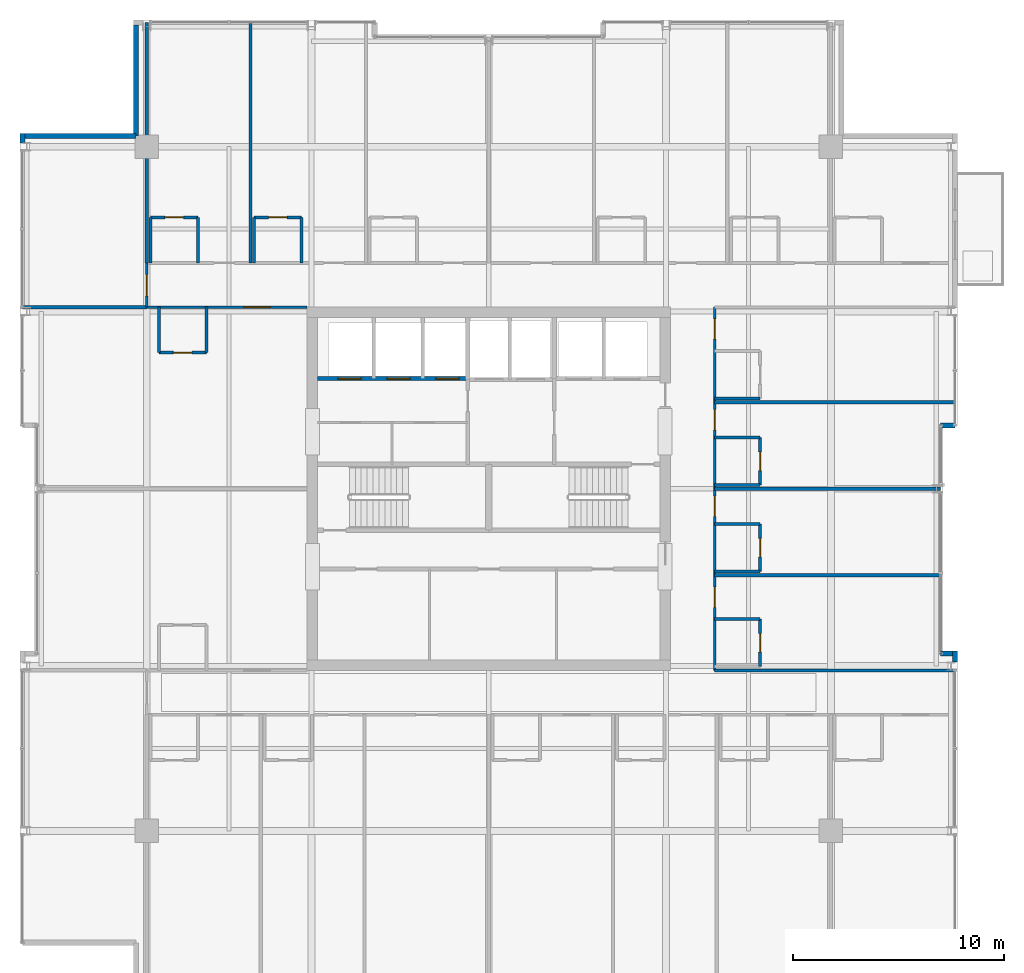
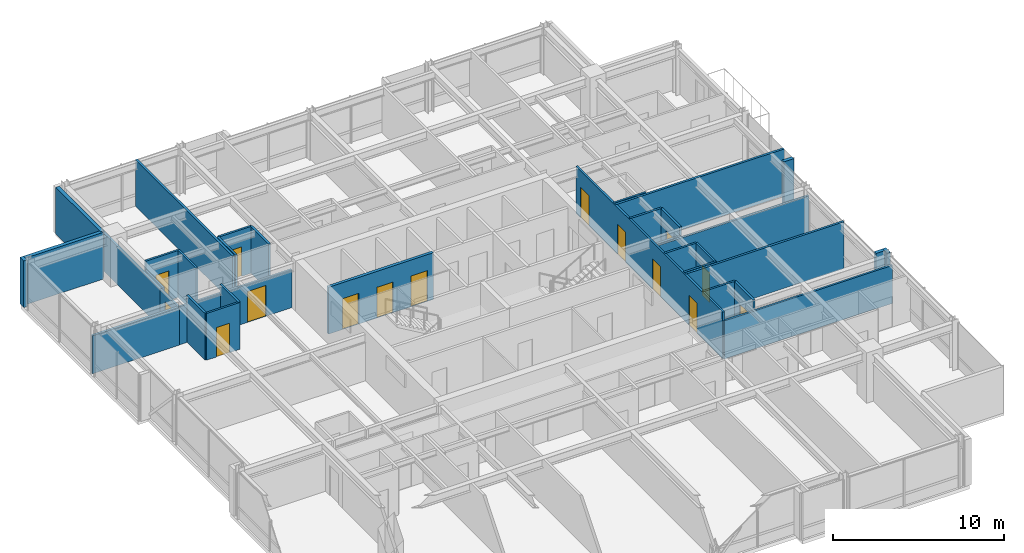
# One storey, part 28 of 33: 35 walls, 15 doors, 15 openings.
"""IFC4 building model written with IfcOpenShell, lengths in metres."""

from ifc_helpers import new_model, si_unit, direction, frame, frame_2d, origin, place, context, subcontext, project, spatial, rectangle, extrude, material, layer, layer_set, type_object, element, fill, save


model = new_model("IFC4")

# Units and contexts
model_context = context("Model", 3, precision=1e-05, world=origin(), true_north=direction((0.0, 1.0)))
body_context = subcontext(model_context, "Body", "Model", "MODEL_VIEW")
ifc_project = project(units=[si_unit("LENGTHUNIT", "METRE"), si_unit("AREAUNIT", "SQUARE_METRE"), si_unit("VOLUMEUNIT", "CUBIC_METRE"), si_unit("PLANEANGLEUNIT", "RADIAN"), si_unit("MASSUNIT", "GRAM", prefix="KILO")], contexts=[model_context])

# Site, building, storey
site_placement = place(None, origin())
site = spatial("IfcSite", under=ifc_project, at=site_placement, CompositionType="ELEMENT")
building_placement = place(site_placement, origin())
building = spatial("IfcBuilding", under=site, at=building_placement, Name="Drelvath Grand Hotel", CompositionType="ELEMENT")
storey_placement = place(building_placement, frame((0.0, 0.0, 212.300048828125)))
storey = spatial("IfcBuildingStorey", under=building, at=storey_placement, Name="L55", CompositionType="ELEMENT", Elevation=212.300048828125)

# Wall, openings, doors
ifc_material_1 = material(Name="Concrete C40/50", Category="concrete")
ifc_layer_1 = layer(ifc_material_1, 0.199951171875)
ifc_layer_set_1 = layer_set([ifc_layer_1], Name="Concrete C40/50")
wall_type_1 = type_object("IfcWallType", Name="Core Hoistway Fire Wall 200", PredefinedType="SOLIDWALL", material=ifc_layer_set_1)
wall_1_placement = place(storey_placement, frame((-8.10009765625, 32.219970703125, 0.0), z_axis=(0.0, 0.0, 1.0), x_axis=(1.0, 0.0, 0.0)))
wall_1 = element("IfcWall", 1, at=wall_1_placement, inside=storey, type_object=wall_type_1, Name="L55 Bank 3 Hoistway Wall", PredefinedType="SOLIDWALL", context=body_context, shape_type="SweptSolid", body=[
    extrude(rectangle(XDim=7.10009765625, YDim=0.199951171875, at=frame_2d((3.550048828125, 0.0))), origin(), (0.0, 0.0, 1.0), 3.33984375),
])
opening_1_placement = place(wall_1_placement, frame((0.949951171875, 0.0, 0.0)))
opening_1 = element("IfcOpeningElement", 2, at=opening_1_placement, cuts=wall_1, Name="Opening LD-PE-7", PredefinedType="OPENING", context=body_context, shape_type="SweptSolid", body=[
    extrude(rectangle(XDim=1.10009765625, YDim=2.199951171875, at=frame_2d((0.550048828125, 1.10009765625))), frame((0.0, 0.10986328125, 0.0), z_axis=(0.0, -1.0, 0.0), x_axis=(1.0, 0.0, 0.0)), (0.0, 0.0, 1.0), 0.219970703125),
])
opening_2_placement = place(wall_1_placement, frame((3.27001953125, 0.0, 0.0)))
opening_2 = element("IfcOpeningElement", 3, at=opening_2_placement, cuts=wall_1, Name="Opening LD-PE-8", PredefinedType="OPENING", context=body_context, shape_type="SweptSolid", body=[
    extrude(rectangle(XDim=1.10009765625, YDim=2.199951171875, at=frame_2d((0.550048828125, 1.10009765625))), frame((0.0, 0.10986328125, 0.0), z_axis=(0.0, -1.0, 0.0), x_axis=(1.0, 0.0, 0.0)), (0.0, 0.0, 1.0), 0.219970703125),
])
opening_3_placement = place(wall_1_placement, frame((5.590087890625, 0.0, 0.0)))
opening_3 = element("IfcOpeningElement", 4, at=opening_3_placement, cuts=wall_1, Name="Opening LD-PE-9", PredefinedType="OPENING", context=body_context, shape_type="SweptSolid", body=[
    extrude(rectangle(XDim=1.10009765625, YDim=2.199951171875, at=frame_2d((0.550048828125, 1.10009765625))), frame((0.0, 0.10986328125, 0.0), z_axis=(0.0, -1.0, 0.0), x_axis=(1.0, 0.0, 0.0)), (0.0, 0.0, 1.0), 0.219970703125),
])
ifc_material_2 = material(Name="Stainless Steel S355", Category="steel")
door_type_1 = type_object("IfcDoorType", Name="Passenger Lift Sliding Landing Door 1100x2200", OperationType="NOTDEFINED", PredefinedType="DOOR", material=ifc_material_2)
door_1_placement = place(opening_1_placement, origin())
door_1 = element("IfcDoor", 5, at=door_1_placement, inside=storey, type_object=door_type_1, Name="L55 Lift PE-7 Landing Door", OperationType="SLIDING_TO_LEFT", OverallHeight=2.199951171875, OverallWidth=1.10009765625, PredefinedType="DOOR", context=body_context, shape_type="SweptSolid", body=[
    extrude(rectangle(XDim=1.10009765625, YDim=2.199951171875, at=frame_2d((0.550048828125, 1.10009765625))), frame((0.0, 0.02490234375, 0.0), z_axis=(0.0, -1.0, 0.0), x_axis=(1.0, 0.0, 0.0)), (0.0, 0.0, 1.0), 0.050048828125),
])
fill(opening_1, door_1)
door_2_placement = place(opening_2_placement, origin())
door_2 = element("IfcDoor", 6, at=door_2_placement, inside=storey, type_object=door_type_1, Name="L55 Lift PE-8 Landing Door", OperationType="SLIDING_TO_LEFT", OverallHeight=2.199951171875, OverallWidth=1.10009765625, PredefinedType="DOOR", context=body_context, shape_type="SweptSolid", body=[
    extrude(rectangle(XDim=1.10009765625, YDim=2.199951171875, at=frame_2d((0.550048828125, 1.10009765625))), frame((0.0, 0.02490234375, 0.0), z_axis=(0.0, -1.0, 0.0), x_axis=(1.0, 0.0, 0.0)), (0.0, 0.0, 1.0), 0.050048828125),
])
fill(opening_2, door_2)
door_3_placement = place(opening_3_placement, origin())
door_3 = element("IfcDoor", 7, at=door_3_placement, inside=storey, type_object=door_type_1, Name="L55 Lift PE-9 Landing Door", OperationType="SLIDING_TO_LEFT", OverallHeight=2.199951171875, OverallWidth=1.10009765625, PredefinedType="DOOR", context=body_context, shape_type="SweptSolid", body=[
    extrude(rectangle(XDim=1.10009765625, YDim=2.199951171875, at=frame_2d((0.550048828125, 1.10009765625))), frame((0.0, 0.02490234375, 0.0), z_axis=(0.0, -1.0, 0.0), x_axis=(1.0, 0.0, 0.0)), (0.0, 0.0, 1.0), 0.050048828125),
])
fill(opening_3, door_3)

# Wall
ifc_material_3 = material(Name="Gypsum Fireboard Partition")
ifc_layer_2 = layer(ifc_material_3, 0.135009765625)
ifc_layer_set_2 = layer_set([ifc_layer_2], Name="Gypsum Fireboard Partition")
wall_type_2 = type_object("IfcWallType", Name="Corridor Fire Barrier Wall 135", PredefinedType="PARTITIONING", material=ifc_layer_set_2)
wall_2_placement = place(storey_placement, frame((10.699951171875, 18.39990234375, 0.0), z_axis=(0.0, 0.0, 1.0), x_axis=(1.0, 0.0, 0.0)))
element("IfcWall", 8, at=wall_2_placement, inside=storey, type_object=wall_type_2, Name="L55 South Gallery Inner East Wall", PredefinedType="PARTITIONING", context=body_context, shape_type="SweptSolid", body=[
    extrude(rectangle(XDim=11.380126953125, YDim=0.135009765625, at=frame_2d((5.68994140625, 0.0))), origin(), (0.0, 0.0, 1.0), 2.71728515625),
])

# Wall, opening, door
wall_3_placement = place(storey_placement, frame((-16.199951171875, 35.60009765625, 0.0), z_axis=(0.0, 0.0, 1.0), x_axis=(1.0, 0.0, 0.0)))
wall_3 = element("IfcWall", 9, at=wall_3_placement, inside=storey, type_object=wall_type_2, Name="L55 North Gallery Inner West Wall", PredefinedType="PARTITIONING", context=body_context, shape_type="SweptSolid", body=[
    extrude(rectangle(XDim=7.599853515625, YDim=0.135009765625, at=frame_2d((3.7998046875, 0.0))), origin(), (0.0, 0.0, 1.0), 2.71728515625),
])
opening_4_placement = place(wall_3_placement, frame((4.5849609375, 0.0, 0.0)))
opening_4 = element("IfcOpeningElement", 10, at=opening_4_placement, cuts=wall_3, Name="Opening D-T4G1-058", PredefinedType="OPENING", context=body_context, shape_type="SweptSolid", body=[
    extrude(rectangle(XDim=1.260009765625, YDim=2.199951171875, at=frame_2d((0.6298828125, 1.10009765625))), frame((0.0, 0.077392578125, 0.0), z_axis=(0.0, -1.0, 0.0), x_axis=(1.0, 0.0, 0.0)), (0.0, 0.0, 1.0), 0.155029296875),
])
ifc_material_4 = material(Name="Hardwood Walnut Timber", Category="wood")
door_type_2 = type_object("IfcDoorType", Name="Suite Entrance Fire Door 1260x2200", OperationType="NOTDEFINED", PredefinedType="DOOR", material=ifc_material_4)
door_4_placement = place(opening_4_placement, origin())
door_4 = element("IfcDoor", 11, at=door_4_placement, inside=storey, type_object=door_type_2, Name="L55 Diplomatic Suite Entry Door", OperationType="SINGLE_SWING_LEFT", OverallHeight=2.199951171875, OverallWidth=1.260009765625, PredefinedType="DOOR", context=body_context, shape_type="SweptSolid", body=[
    extrude(rectangle(XDim=1.260009765625, YDim=2.199951171875, at=frame_2d((0.6298828125, 1.10009765625))), frame((0.0, 0.02490234375, 0.0), z_axis=(0.0, -1.0, 0.0), x_axis=(1.0, 0.0, 0.0)), (0.0, 0.0, 1.0), 0.050048828125),
])
fill(opening_4, door_4)

# Wall, openings, doors
wall_4_placement = place(storey_placement, frame((10.699951171875, 18.39990234375, 0.0), z_axis=(0.0, 0.0, 1.0), x_axis=(0.0, 1.0, 0.0)))
wall_4 = element("IfcWall", 12, at=wall_4_placement, inside=storey, type_object=wall_type_2, Name="L55 East Gallery Link Wall", PredefinedType="PARTITIONING", context=body_context, shape_type="SweptSolid", body=[
    extrude(rectangle(XDim=17.2001953125, YDim=0.135009765625, at=frame_2d((8.60009765625, 0.0))), origin(), (0.0, 0.0, 1.0), 3.33984375),
])
opening_5_placement = place(wall_4_placement, frame((2.9873046875, 0.0, 0.0)))
opening_5 = element("IfcOpeningElement", 13, at=opening_5_placement, cuts=wall_4, Name="Opening D-T4G1-048", PredefinedType="OPENING", context=body_context, shape_type="SweptSolid", body=[
    extrude(rectangle(XDim=0.9599609375, YDim=2.14990234375, at=frame_2d((0.47998046875, 1.074951171875))), frame((0.0, 0.077392578125, 0.0), z_axis=(0.0, -1.0, 0.0), x_axis=(1.0, 0.0, 0.0)), (0.0, 0.0, 1.0), 0.155029296875),
])
opening_6_placement = place(wall_4_placement, frame((7.287353515625, 0.0, 0.0)))
opening_6 = element("IfcOpeningElement", 14, at=opening_6_placement, cuts=wall_4, Name="Opening D-T4G1-050", PredefinedType="OPENING", context=body_context, shape_type="SweptSolid", body=[
    extrude(rectangle(XDim=0.9599609375, YDim=2.14990234375, at=frame_2d((0.47998046875, 1.074951171875))), frame((0.0, 0.077392578125, 0.0), z_axis=(0.0, -1.0, 0.0), x_axis=(1.0, 0.0, 0.0)), (0.0, 0.0, 1.0), 0.155029296875),
])
opening_7_placement = place(wall_4_placement, frame((11.382568359375, 0.0, 0.0)))
opening_7 = element("IfcOpeningElement", 15, at=opening_7_placement, cuts=wall_4, Name="Opening D-T4G1-052", PredefinedType="OPENING", context=body_context, shape_type="SweptSolid", body=[
    extrude(rectangle(XDim=0.9599609375, YDim=2.14990234375, at=frame_2d((0.47998046875, 1.074951171875))), frame((0.0, 0.077392578125, 0.0), z_axis=(0.0, -1.0, 0.0), x_axis=(1.0, 0.0, 0.0)), (0.0, 0.0, 1.0), 0.155029296875),
])
opening_8_placement = place(wall_4_placement, frame((15.6826171875, 0.0, 0.0)))
opening_8 = element("IfcOpeningElement", 16, at=opening_8_placement, cuts=wall_4, Name="Opening D-T4G1-054", PredefinedType="OPENING", context=body_context, shape_type="SweptSolid", body=[
    extrude(rectangle(XDim=0.9599609375, YDim=2.14990234375, at=frame_2d((0.47998046875, 1.074951171875))), frame((0.0, 0.077392578125, 0.0), z_axis=(0.0, -1.0, 0.0), x_axis=(1.0, 0.0, 0.0)), (0.0, 0.0, 1.0), 0.155029296875),
])
door_type_3 = type_object("IfcDoorType", Name="Guestroom Entrance Fire Door 960x2150", OperationType="NOTDEFINED", PredefinedType="DOOR", material=ifc_material_4)
door_5_placement = place(opening_5_placement, origin())
door_5 = element("IfcDoor", 17, at=door_5_placement, inside=storey, type_object=door_type_3, Name="L55 Deluxe Guest Room Entry Door", OperationType="SINGLE_SWING_LEFT", OverallHeight=2.14990234375, OverallWidth=0.9599609375, PredefinedType="DOOR", context=body_context, shape_type="SweptSolid", body=[
    extrude(rectangle(XDim=0.9599609375, YDim=2.14990234375, at=frame_2d((0.47998046875, 1.074951171875))), frame((0.0, 0.02490234375, 0.0), z_axis=(0.0, -1.0, 0.0), x_axis=(1.0, 0.0, 0.0)), (0.0, 0.0, 1.0), 0.050048828125),
])
fill(opening_5, door_5)
door_6_placement = place(opening_6_placement, origin())
door_6 = element("IfcDoor", 18, at=door_6_placement, inside=storey, type_object=door_type_3, Name="L55 Deluxe Guest Room Entry Door", OperationType="SINGLE_SWING_LEFT", OverallHeight=2.14990234375, OverallWidth=0.9599609375, PredefinedType="DOOR", context=body_context, shape_type="SweptSolid", body=[
    extrude(rectangle(XDim=0.9599609375, YDim=2.14990234375, at=frame_2d((0.47998046875, 1.074951171875))), frame((0.0, 0.02490234375, 0.0), z_axis=(0.0, -1.0, 0.0), x_axis=(1.0, 0.0, 0.0)), (0.0, 0.0, 1.0), 0.050048828125),
])
fill(opening_6, door_6)
door_7_placement = place(opening_7_placement, origin())
door_7 = element("IfcDoor", 19, at=door_7_placement, inside=storey, type_object=door_type_3, Name="L55 Deluxe Guest Room Entry Door", OperationType="SINGLE_SWING_LEFT", OverallHeight=2.14990234375, OverallWidth=0.9599609375, PredefinedType="DOOR", context=body_context, shape_type="SweptSolid", body=[
    extrude(rectangle(XDim=0.9599609375, YDim=2.14990234375, at=frame_2d((0.47998046875, 1.074951171875))), frame((0.0, 0.02490234375, 0.0), z_axis=(0.0, -1.0, 0.0), x_axis=(1.0, 0.0, 0.0)), (0.0, 0.0, 1.0), 0.050048828125),
])
fill(opening_7, door_7)
door_8_placement = place(opening_8_placement, origin())
door_8 = element("IfcDoor", 20, at=door_8_placement, inside=storey, type_object=door_type_3, Name="L55 Deluxe Guest Room Entry Door", OperationType="SINGLE_SWING_LEFT", OverallHeight=2.14990234375, OverallWidth=0.9599609375, PredefinedType="DOOR", context=body_context, shape_type="SweptSolid", body=[
    extrude(rectangle(XDim=0.9599609375, YDim=2.14990234375, at=frame_2d((0.47998046875, 1.074951171875))), frame((0.0, 0.02490234375, 0.0), z_axis=(0.0, -1.0, 0.0), x_axis=(1.0, 0.0, 0.0)), (0.0, 0.0, 1.0), 0.050048828125),
])
fill(opening_8, door_8)

# Wall, opening, door
wall_5_placement = place(storey_placement, frame((-16.199951171875, 35.60009765625, 0.0), z_axis=(0.0, 0.0, 1.0), x_axis=(0.0, 1.0, 0.0)))
wall_5 = element("IfcWall", 21, at=wall_5_placement, inside=storey, type_object=wall_type_2, Name="L55 North Gallery West End", PredefinedType="PARTITIONING", context=body_context, shape_type="SweptSolid", body=[
    extrude(rectangle(XDim=2.099853515625, YDim=0.135009765625, at=frame_2d((1.0498046875, 0.0))), origin(), (0.0, 0.0, 1.0), 2.7138671875),
])
opening_9_placement = place(wall_5_placement, frame((0.52001953125, 0.0, 0.0)))
opening_9 = element("IfcOpeningElement", 22, at=opening_9_placement, cuts=wall_5, Name="Opening D-T4G1-020", PredefinedType="OPENING", context=body_context, shape_type="SweptSolid", body=[
    extrude(rectangle(XDim=1.02001953125, YDim=2.14990234375, at=frame_2d((0.510009765625, 1.074951171875))), frame((0.0, 0.077392578125, 0.0), z_axis=(0.0, -1.0, 0.0), x_axis=(1.0, 0.0, 0.0)), (0.0, 0.0, 1.0), 0.155029296875),
])
door_type_4 = type_object("IfcDoorType", Name="Amenity Meeting Fire Door 1020x2150", OperationType="NOTDEFINED", PredefinedType="DOOR", material=ifc_material_4)
door_9_placement = place(opening_9_placement, origin())
door_9 = element("IfcDoor", 23, at=door_9_placement, inside=storey, type_object=door_type_4, Name="L55 Corner Panorama Lounge Door", OperationType="SINGLE_SWING_LEFT", OverallHeight=2.14990234375, OverallWidth=1.02001953125, PredefinedType="DOOR", context=body_context, shape_type="SweptSolid", body=[
    extrude(rectangle(XDim=1.02001953125, YDim=2.14990234375, at=frame_2d((0.510009765625, 1.074951171875))), frame((0.0, 0.02490234375, 0.0), z_axis=(0.0, -1.0, 0.0), x_axis=(1.0, 0.0, 0.0)), (0.0, 0.0, 1.0), 0.050048828125),
])
fill(opening_9, door_9)

# Walls
ifc_material_5 = material(Name="Moisture-Resistant Gypsum Board")
ifc_layer_3 = layer(ifc_material_5, 0.139892578125)
ifc_layer_set_3 = layer_set([ifc_layer_3], Name="Moisture-Resistant Gypsum Board")
wall_type_3 = type_object("IfcWallType", Name="En-Suite Plumbing Wall 140", PredefinedType="PLUMBINGWALL", material=ifc_layer_set_3)
wall_6_placement = place(storey_placement, frame((-16.02001953125, 37.699951171875, 0.0), z_axis=(0.0, 0.0, 1.0), x_axis=(0.0, 1.0, 0.0)))
element("IfcWall", 24, at=wall_6_placement, inside=storey, type_object=wall_type_3, Name="L55 En-Suite Left Wall", PredefinedType="PLUMBINGWALL", context=body_context, shape_type="SweptSolid", body=[
    extrude(rectangle(XDim=2.150146484375, YDim=0.139892578125, at=frame_2d((1.0751953125, 0.0))), origin(), (0.0, 0.0, 1.0), 2.7138671875),
])
wall_7_placement = place(storey_placement, frame((-13.77001953125, 37.699951171875, 0.0), z_axis=(0.0, 0.0, 1.0), x_axis=(0.0, 1.0, 0.0)))
element("IfcWall", 25, at=wall_7_placement, inside=storey, type_object=wall_type_3, Name="L55 En-Suite Right Wall", PredefinedType="PLUMBINGWALL", context=body_context, shape_type="SweptSolid", body=[
    extrude(rectangle(XDim=2.150146484375, YDim=0.139892578125, at=frame_2d((1.0751953125, 0.0))), origin(), (0.0, 0.0, 1.0), 3.33984375),
])

# Wall, opening, door
wall_8_placement = place(storey_placement, frame((-16.02001953125, 39.85009765625, 0.0), z_axis=(0.0, 0.0, 1.0), x_axis=(1.0, 0.0, 0.0)))
wall_8 = element("IfcWall", 26, at=wall_8_placement, inside=storey, type_object=wall_type_3, Name="L55 En-Suite Front Wall", PredefinedType="PLUMBINGWALL", context=body_context, shape_type="SweptSolid", body=[
    extrude(rectangle(XDim=2.25, YDim=0.139892578125, at=frame_2d((1.125, 0.0))), origin(), (0.0, 0.0, 1.0), 3.33984375),
])
opening_10_placement = place(wall_8_placement, frame((0.68505859375, 0.0, 0.0)))
opening_10 = element("IfcOpeningElement", 27, at=opening_10_placement, cuts=wall_8, Name="Opening D-T4G1-036", PredefinedType="OPENING", context=body_context, shape_type="SweptSolid", body=[
    extrude(rectangle(XDim=0.8798828125, YDim=2.10009765625, at=frame_2d((0.43994140625, 1.050048828125))), frame((0.0, 0.079833984375, 0.0), z_axis=(0.0, -1.0, 0.0), x_axis=(1.0, 0.0, 0.0)), (0.0, 0.0, 1.0), 0.159912109375),
])
door_type_5 = type_object("IfcDoorType", Name="En-Suite Bathroom Door 880x2100", OperationType="NOTDEFINED", PredefinedType="DOOR", material=ifc_material_4)
door_10_placement = place(opening_10_placement, origin())
door_10 = element("IfcDoor", 28, at=door_10_placement, inside=storey, type_object=door_type_5, Name="L55 En-Suite Bathroom Door", OperationType="SINGLE_SWING_LEFT", OverallHeight=2.10009765625, OverallWidth=0.8798828125, PredefinedType="DOOR", context=body_context, shape_type="SweptSolid", body=[
    extrude(rectangle(XDim=0.8798828125, YDim=2.10009765625, at=frame_2d((0.43994140625, 1.050048828125))), frame((0.0, 0.02490234375, 0.0), z_axis=(0.0, -1.0, 0.0), x_axis=(1.0, 0.0, 0.0)), (0.0, 0.0, 1.0), 0.050048828125),
])
fill(opening_10, door_10)

# Walls
for number, where, z_axis, x_axis, name in (
    (29, (-11.11083984375, 37.699951171875, 0.0), (0.0, 0.0, 1.0), (0.0, 1.0, 0.0), "L55 En-Suite Left Wall"),
    (30, (-8.86083984375, 37.699951171875, 0.0), (0.0, 0.0, 1.0), (0.0, 1.0, 0.0), "L55 En-Suite Right Wall"),
):
    element("IfcWall", number, at=place(storey_placement, frame(where, z_axis=z_axis, x_axis=x_axis)), inside=storey, type_object=wall_type_3, Name=name, PredefinedType="PLUMBINGWALL", context=body_context, shape_type="SweptSolid", body=[
        extrude(rectangle(XDim=2.150146484375, YDim=0.139892578125, at=frame_2d((1.0751953125, 0.0))), origin(), (0.0, 0.0, 1.0), 3.33984375),
    ])

# Wall, opening, door
wall_9_placement = place(storey_placement, frame((-11.11083984375, 39.85009765625, 0.0), z_axis=(0.0, 0.0, 1.0), x_axis=(1.0, 0.0, 0.0)))
wall_9 = element("IfcWall", 31, at=wall_9_placement, inside=storey, type_object=wall_type_3, Name="L55 En-Suite Front Wall", PredefinedType="PLUMBINGWALL", context=body_context, shape_type="SweptSolid", body=[
    extrude(rectangle(XDim=2.25, YDim=0.139892578125, at=frame_2d((1.125, 0.0))), origin(), (0.0, 0.0, 1.0), 3.33984375),
])
opening_11_placement = place(wall_9_placement, frame((0.68505859375, 0.0, 0.0)))
opening_11 = element("IfcOpeningElement", 32, at=opening_11_placement, cuts=wall_9, Name="Opening D-T4G1-038", PredefinedType="OPENING", context=body_context, shape_type="SweptSolid", body=[
    extrude(rectangle(XDim=0.8798828125, YDim=2.10009765625, at=frame_2d((0.43994140625, 1.050048828125))), frame((0.0, 0.079833984375, 0.0), z_axis=(0.0, -1.0, 0.0), x_axis=(1.0, 0.0, 0.0)), (0.0, 0.0, 1.0), 0.159912109375),
])
door_11_placement = place(opening_11_placement, origin())
door_11 = element("IfcDoor", 33, at=door_11_placement, inside=storey, type_object=door_type_5, Name="L55 En-Suite Bathroom Door", OperationType="SINGLE_SWING_LEFT", OverallHeight=2.10009765625, OverallWidth=0.8798828125, PredefinedType="DOOR", context=body_context, shape_type="SweptSolid", body=[
    extrude(rectangle(XDim=0.8798828125, YDim=2.10009765625, at=frame_2d((0.43994140625, 1.050048828125))), frame((0.0, 0.02490234375, 0.0), z_axis=(0.0, -1.0, 0.0), x_axis=(1.0, 0.0, 0.0)), (0.0, 0.0, 1.0), 0.050048828125),
])
fill(opening_11, door_11)

# Wall
wall_10_placement = place(storey_placement, frame((10.699951171875, 20.830078125, 0.0), z_axis=(0.0, 0.0, 1.0), x_axis=(1.0, 0.0, 0.0)))
element("IfcWall", 34, at=wall_10_placement, inside=storey, type_object=wall_type_3, Name="L55 En-Suite Right Wall", PredefinedType="PLUMBINGWALL", context=body_context, shape_type="SweptSolid", body=[
    extrude(rectangle(XDim=2.150146484375, YDim=0.139892578125, at=frame_2d((1.0751953125, 0.0))), origin(), (0.0, 0.0, 1.0), 3.33984375),
])

# Wall, opening, door
wall_11_placement = place(storey_placement, frame((12.85009765625, 18.580078125, 0.0), z_axis=(0.0, 0.0, 1.0), x_axis=(0.0, 1.0, 0.0)))
wall_11 = element("IfcWall", 35, at=wall_11_placement, inside=storey, type_object=wall_type_3, Name="L55 En-Suite Front Wall", PredefinedType="PLUMBINGWALL", context=body_context, shape_type="SweptSolid", body=[
    extrude(rectangle(XDim=2.25, YDim=0.139892578125, at=frame_2d((1.125, 0.0))), origin(), (0.0, 0.0, 1.0), 3.33984375),
])
opening_12_placement = place(wall_11_placement, frame((0.68505859375, 0.0, 0.0)))
opening_12 = element("IfcOpeningElement", 36, at=opening_12_placement, cuts=wall_11, Name="Opening D-T4G1-047", PredefinedType="OPENING", context=body_context, shape_type="SweptSolid", body=[
    extrude(rectangle(XDim=0.8798828125, YDim=2.10009765625, at=frame_2d((0.43994140625, 1.050048828125))), frame((0.0, 0.079833984375, 0.0), z_axis=(0.0, -1.0, 0.0), x_axis=(1.0, 0.0, 0.0)), (0.0, 0.0, 1.0), 0.159912109375),
])
door_12_placement = place(opening_12_placement, origin())
door_12 = element("IfcDoor", 37, at=door_12_placement, inside=storey, type_object=door_type_5, Name="L55 En-Suite Bathroom Door", OperationType="SINGLE_SWING_RIGHT", OverallHeight=2.10009765625, OverallWidth=0.8798828125, PredefinedType="DOOR", context=body_context, shape_type="SweptSolid", body=[
    extrude(rectangle(XDim=0.8798828125, YDim=2.10009765625, at=frame_2d((0.43994140625, 1.050048828125))), frame((0.0, 0.02490234375, 0.0), z_axis=(0.0, -1.0, 0.0), x_axis=(1.0, 0.0, 0.0)), (0.0, 0.0, 1.0), 0.050048828125),
])
fill(opening_12, door_12)

# Walls
for number, where, z_axis, x_axis, name in (
    (38, (10.699951171875, 23.084716796875, 0.0), (0.0, 0.0, 1.0), (1.0, 0.0, 0.0), "L55 En-Suite Left Wall"),
    (39, (10.699951171875, 25.334716796875, 0.0), (0.0, 0.0, 1.0), (1.0, 0.0, 0.0), "L55 En-Suite Right Wall"),
):
    element("IfcWall", number, at=place(storey_placement, frame(where, z_axis=z_axis, x_axis=x_axis)), inside=storey, type_object=wall_type_3, Name=name, PredefinedType="PLUMBINGWALL", context=body_context, shape_type="SweptSolid", body=[
        extrude(rectangle(XDim=2.150146484375, YDim=0.139892578125, at=frame_2d((1.0751953125, 0.0))), origin(), (0.0, 0.0, 1.0), 3.33984375),
    ])

# Wall, opening, door
wall_12_placement = place(storey_placement, frame((12.85009765625, 23.084716796875, 0.0), z_axis=(0.0, 0.0, 1.0), x_axis=(0.0, 1.0, 0.0)))
wall_12 = element("IfcWall", 40, at=wall_12_placement, inside=storey, type_object=wall_type_3, Name="L55 En-Suite Front Wall", PredefinedType="PLUMBINGWALL", context=body_context, shape_type="SweptSolid", body=[
    extrude(rectangle(XDim=2.25, YDim=0.139892578125, at=frame_2d((1.125, 0.0))), origin(), (0.0, 0.0, 1.0), 3.33984375),
])
opening_13_placement = place(wall_12_placement, frame((0.68505859375, 0.0, 0.0)))
opening_13 = element("IfcOpeningElement", 41, at=opening_13_placement, cuts=wall_12, Name="Opening D-T4G1-049", PredefinedType="OPENING", context=body_context, shape_type="SweptSolid", body=[
    extrude(rectangle(XDim=0.8798828125, YDim=2.10009765625, at=frame_2d((0.43994140625, 1.050048828125))), frame((0.0, 0.079833984375, 0.0), z_axis=(0.0, -1.0, 0.0), x_axis=(1.0, 0.0, 0.0)), (0.0, 0.0, 1.0), 0.159912109375),
])
door_13_placement = place(opening_13_placement, origin())
door_13 = element("IfcDoor", 42, at=door_13_placement, inside=storey, type_object=door_type_5, Name="L55 En-Suite Bathroom Door", OperationType="SINGLE_SWING_RIGHT", OverallHeight=2.10009765625, OverallWidth=0.8798828125, PredefinedType="DOOR", context=body_context, shape_type="SweptSolid", body=[
    extrude(rectangle(XDim=0.8798828125, YDim=2.10009765625, at=frame_2d((0.43994140625, 1.050048828125))), frame((0.0, 0.02490234375, 0.0), z_axis=(0.0, -1.0, 0.0), x_axis=(1.0, 0.0, 0.0)), (0.0, 0.0, 1.0), 0.050048828125),
])
fill(opening_13, door_13)

# Walls
wall_13_placement = place(storey_placement, frame((10.699951171875, 27.179931640625, 0.0), z_axis=(0.0, 0.0, 1.0), x_axis=(1.0, 0.0, 0.0)))
element("IfcWall", 43, at=wall_13_placement, inside=storey, type_object=wall_type_3, Name="L55 En-Suite Left Wall", PredefinedType="PLUMBINGWALL", context=body_context, shape_type="SweptSolid", body=[
    extrude(rectangle(XDim=2.150146484375, YDim=0.139892578125, at=frame_2d((1.0751953125, 0.0))), origin(), (0.0, 0.0, 1.0), 2.71728515625),
])
wall_14_placement = place(storey_placement, frame((10.699951171875, 29.429931640625, 0.0), z_axis=(0.0, 0.0, 1.0), x_axis=(1.0, 0.0, 0.0)))
element("IfcWall", 44, at=wall_14_placement, inside=storey, type_object=wall_type_3, Name="L55 En-Suite Right Wall", PredefinedType="PLUMBINGWALL", context=body_context, shape_type="SweptSolid", body=[
    extrude(rectangle(XDim=2.150146484375, YDim=0.139892578125, at=frame_2d((1.0751953125, 0.0))), origin(), (0.0, 0.0, 1.0), 3.33984375),
])

# Wall, opening, door
wall_15_placement = place(storey_placement, frame((12.85009765625, 27.179931640625, 0.0), z_axis=(0.0, 0.0, 1.0), x_axis=(0.0, 1.0, 0.0)))
wall_15 = element("IfcWall", 45, at=wall_15_placement, inside=storey, type_object=wall_type_3, Name="L55 En-Suite Front Wall", PredefinedType="PLUMBINGWALL", context=body_context, shape_type="SweptSolid", body=[
    extrude(rectangle(XDim=2.25, YDim=0.139892578125, at=frame_2d((1.125, 0.0))), origin(), (0.0, 0.0, 1.0), 3.33984375),
])
opening_14_placement = place(wall_15_placement, frame((0.68505859375, 0.0, 0.0)))
opening_14 = element("IfcOpeningElement", 46, at=opening_14_placement, cuts=wall_15, Name="Opening D-T4G1-051", PredefinedType="OPENING", context=body_context, shape_type="SweptSolid", body=[
    extrude(rectangle(XDim=0.8798828125, YDim=2.10009765625, at=frame_2d((0.43994140625, 1.050048828125))), frame((0.0, 0.079833984375, 0.0), z_axis=(0.0, -1.0, 0.0), x_axis=(1.0, 0.0, 0.0)), (0.0, 0.0, 1.0), 0.159912109375),
])
door_14_placement = place(opening_14_placement, origin())
door_14 = element("IfcDoor", 47, at=door_14_placement, inside=storey, type_object=door_type_5, Name="L55 En-Suite Bathroom Door", OperationType="SINGLE_SWING_RIGHT", OverallHeight=2.10009765625, OverallWidth=0.8798828125, PredefinedType="DOOR", context=body_context, shape_type="SweptSolid", body=[
    extrude(rectangle(XDim=0.8798828125, YDim=2.10009765625, at=frame_2d((0.43994140625, 1.050048828125))), frame((0.0, 0.02490234375, 0.0), z_axis=(0.0, -1.0, 0.0), x_axis=(1.0, 0.0, 0.0)), (0.0, 0.0, 1.0), 0.050048828125),
])
fill(opening_14, door_14)

# Walls
for number, where, z_axis, x_axis, name in (
    (48, (10.699951171875, 31.275146484375, 0.0), (0.0, 0.0, 1.0), (1.0, 0.0, 0.0), "L55 En-Suite Left Wall"),
    (49, (-15.6201171875, 35.60009765625, 0.0), (0.0, 0.0, 1.0), (0.0, -1.0, 0.0), "L55 En-Suite Left Wall"),
    (50, (-13.3701171875, 35.60009765625, 0.0), (0.0, 0.0, 1.0), (0.0, -1.0, 0.0), "L55 En-Suite Right Wall"),
):
    element("IfcWall", number, at=place(storey_placement, frame(where, z_axis=z_axis, x_axis=x_axis)), inside=storey, type_object=wall_type_3, Name=name, PredefinedType="PLUMBINGWALL", context=body_context, shape_type="SweptSolid", body=[
        extrude(rectangle(XDim=2.150146484375, YDim=0.139892578125, at=frame_2d((1.0751953125, 0.0))), origin(), (0.0, 0.0, 1.0), 3.33984375),
    ])

# Wall, opening, door
wall_16_placement = place(storey_placement, frame((-15.6201171875, 33.449951171875, 0.0), z_axis=(0.0, 0.0, 1.0), x_axis=(1.0, 0.0, 0.0)))
wall_16 = element("IfcWall", 51, at=wall_16_placement, inside=storey, type_object=wall_type_3, Name="L55 En-Suite Front Wall", PredefinedType="PLUMBINGWALL", context=body_context, shape_type="SweptSolid", body=[
    extrude(rectangle(XDim=2.25, YDim=0.139892578125, at=frame_2d((1.125, 0.0))), origin(), (0.0, 0.0, 1.0), 3.33984375),
])
opening_15_placement = place(wall_16_placement, frame((0.68505859375, 0.0, 0.0)))
opening_15 = element("IfcOpeningElement", 52, at=opening_15_placement, cuts=wall_16, Name="Opening D-T4G1-057", PredefinedType="OPENING", context=body_context, shape_type="SweptSolid", body=[
    extrude(rectangle(XDim=0.8798828125, YDim=2.10009765625, at=frame_2d((0.43994140625, 1.050048828125))), frame((0.0, 0.079833984375, 0.0), z_axis=(0.0, -1.0, 0.0), x_axis=(1.0, 0.0, 0.0)), (0.0, 0.0, 1.0), 0.159912109375),
])
door_15_placement = place(opening_15_placement, origin())
door_15 = element("IfcDoor", 53, at=door_15_placement, inside=storey, type_object=door_type_5, Name="L55 En-Suite Bathroom Door", OperationType="SINGLE_SWING_RIGHT", OverallHeight=2.10009765625, OverallWidth=0.8798828125, PredefinedType="DOOR", context=body_context, shape_type="SweptSolid", body=[
    extrude(rectangle(XDim=0.8798828125, YDim=2.10009765625, at=frame_2d((0.43994140625, 1.050048828125))), frame((0.0, 0.02490234375, 0.0), z_axis=(0.0, -1.0, 0.0), x_axis=(1.0, 0.0, 0.0)), (0.0, 0.0, 1.0), 0.050048828125),
])
fill(opening_15, door_15)

# Walls
ifc_material_6 = material(Name="Gypsum Acoustic Partition")
ifc_layer_4 = layer(ifc_material_6, 0.14990234375)
ifc_layer_set_4 = layer_set([ifc_layer_4], Name="Gypsum Acoustic Partition")
wall_type_4 = type_object("IfcWallType", Name="Guestroom Demising Wall 150", PredefinedType="PARTITIONING", material=ifc_layer_set_4)
wall_17_placement = place(storey_placement, frame((-11.291015625, 37.699951171875, 0.0), z_axis=(0.0, 0.0, 1.0), x_axis=(0.0, 1.0, 0.0)))
element("IfcWall", 54, at=wall_17_placement, inside=storey, type_object=wall_type_4, Name="L55 North Demising 1", PredefinedType="PARTITIONING", context=body_context, shape_type="SweptSolid", body=[
    extrude(rectangle(XDim=11.380126953125, YDim=0.14990234375, at=frame_2d((5.68994140625, 0.0))), origin(), (0.0, 0.0, 1.0), 3.33984375),
])
wall_18_placement = place(storey_placement, frame((10.699951171875, 22.90478515625, 0.0), z_axis=(0.0, 0.0, 1.0), x_axis=(1.0, 0.0, 0.0)))
element("IfcWall", 55, at=wall_18_placement, inside=storey, type_object=wall_type_4, Name="L55 East Demising 1", PredefinedType="PARTITIONING", context=body_context, shape_type="SweptSolid", body=[
    extrude(rectangle(XDim=10.699951171875, YDim=0.14990234375, at=frame_2d((5.35009765625, 0.0))), origin(), (0.0, 0.0, 1.0), 3.33984375),
])
wall_19_placement = place(storey_placement, frame((10.699951171875, 27.0, 0.0), z_axis=(0.0, 0.0, 1.0), x_axis=(1.0, 0.0, 0.0)))
element("IfcWall", 56, at=wall_19_placement, inside=storey, type_object=wall_type_4, Name="L55 East Demising 2", PredefinedType="PARTITIONING", context=body_context, shape_type="SweptSolid", body=[
    extrude(rectangle(XDim=10.699951171875, YDim=0.14990234375, at=frame_2d((5.35009765625, 0.0))), origin(), (0.0, 0.0, 1.0), 2.71728515625),
])
wall_20_placement = place(storey_placement, frame((10.699951171875, 31.09521484375, 0.0), z_axis=(0.0, 0.0, 1.0), x_axis=(1.0, 0.0, 0.0)))
element("IfcWall", 57, at=wall_20_placement, inside=storey, type_object=wall_type_4, Name="L55 East Demising 3", PredefinedType="PARTITIONING", context=body_context, shape_type="SweptSolid", body=[
    extrude(rectangle(XDim=11.380126953125, YDim=0.14990234375, at=frame_2d((5.68994140625, 0.0))), origin(), (0.0, 0.0, 1.0), 3.33984375),
])
ifc_layer_5 = layer(ifc_material_6, 0.1650390625)
ifc_layer_set_5 = layer_set([ifc_layer_5], Name="Gypsum Acoustic Partition")
wall_type_5 = type_object("IfcWallType", Name="Suite Demising Wall 165", PredefinedType="PARTITIONING", material=ifc_layer_set_5)
wall_21_placement = place(storey_placement, frame((-16.199951171875, 37.699951171875, 0.0), z_axis=(0.0, 0.0, 1.0), x_axis=(0.0, 1.0, 0.0)))
element("IfcWall", 58, at=wall_21_placement, inside=storey, type_object=wall_type_5, Name="L55 NW Suite Wall", PredefinedType="PARTITIONING", context=body_context, shape_type="SweptSolid", body=[
    extrude(rectangle(XDim=11.380126953125, YDim=0.1650390625, at=frame_2d((5.68994140625, 0.0))), origin(), (0.0, 0.0, 1.0), 2.7138671875),
])
wall_22_placement = place(storey_placement, frame((-22.080078125, 35.60009765625, 0.0), z_axis=(0.0, 0.0, 1.0), x_axis=(1.0, 0.0, 0.0)))
element("IfcWall", 59, at=wall_22_placement, inside=storey, type_object=wall_type_5, Name="L55 NW Corner South Wall", PredefinedType="PARTITIONING", context=body_context, shape_type="SweptSolid", body=[
    extrude(rectangle(XDim=5.880126953125, YDim=0.1650390625, at=frame_2d((2.93994140625, 0.0))), origin(), (0.0, 0.0, 1.0), 2.7138671875),
])
ifc_material_7 = material(Name="Pale-Metal Insulated Aluminium Spandrel Assembly", Category="aluminium")
ifc_layer_6 = layer(ifc_material_7, 0.239990234375)
ifc_layer_set_6 = layer_set([ifc_layer_6], Name="Pale-Metal Insulated Aluminium Spandrel Assembly")
wall_type_6 = type_object("IfcWallType", Name="Tower Insulated Metal Spandrel Closure Wall 240", PredefinedType="STANDARD", material=ifc_layer_set_6)
wall_23_placement = place(storey_placement, frame((-22.080078125, 43.38525390625, 0.0), z_axis=(0.0, 0.0, 1.0), x_axis=(0.0, 1.0, 0.0)))
element("IfcWall", 60, at=wall_23_placement, inside=storey, type_object=wall_type_6, Name="L55 Corner Pier Spandrel Wall WN3", PredefinedType="STANDARD", context=body_context, shape_type="SweptSolid", body=[
    extrude(rectangle(XDim=0.434814453125, YDim=0.239990234375, at=frame_2d((0.21728515625, 0.0))), origin(), (0.0, 0.0, 1.0), 3.33984375),
])
wall_24_placement = place(storey_placement, frame((22.080078125, 19.320068359375, 0.0), z_axis=(0.0, 0.0, 1.0), x_axis=(0.0, -1.0, 0.0)))
element("IfcWall", 61, at=wall_24_placement, inside=storey, type_object=wall_type_6, Name="L55 Corner Pier Spandrel Wall ES3", PredefinedType="STANDARD", context=body_context, shape_type="SweptSolid", body=[
    extrude(rectangle(XDim=0.53466796875, YDim=0.239990234375, at=frame_2d((0.267333984375, 0.0))), origin(), (0.0, 0.0, 1.0), 3.33984375),
])
for number, where, z_axis, x_axis, name in (
    (62, (-21.9599609375, 43.699951171875, 0.0), (0.0, 0.0, 1.0), (1.0, 0.0, 0.0), "L55 Notched Corner Return Spandrel Wall CNW1"),
    (63, (-16.699951171875, 43.699951171875, 0.0), (0.0, 0.0, 1.0), (0.0, 1.0, 0.0), "L55 Notched Corner Return Spandrel Wall CNW2"),
):
    element("IfcWall", number, at=place(storey_placement, frame(where, z_axis=z_axis, x_axis=x_axis)), inside=storey, type_object=wall_type_6, Name=name, PredefinedType="STANDARD", context=body_context, shape_type="SweptSolid", body=[
        extrude(rectangle(XDim=5.260009765625, YDim=0.239990234375, at=frame_2d((2.6298828125, 0.0))), origin(), (0.0, 0.0, 1.0), 3.33984375),
    ])
wall_25_placement = place(storey_placement, frame((22.080078125, 30.0, 0.0), z_axis=(0.0, 0.0, 1.0), x_axis=(-1.0, 0.0, 0.0)))
element("IfcWall", 64, at=wall_25_placement, inside=storey, type_object=wall_type_6, Name="L55 Notched Corner Return Spandrel Wall RE1", PredefinedType="STANDARD", context=body_context, shape_type="SweptSolid", body=[
    extrude(rectangle(XDim=0.68017578125, YDim=0.239990234375, at=frame_2d((0.340087890625, 0.0))), origin(), (0.0, 0.0, 1.0), 3.33984375),
])
wall_26_placement = place(storey_placement, frame((21.39990234375, 19.199951171875, 0.0), z_axis=(0.0, 0.0, 1.0), x_axis=(1.0, 0.0, 0.0)))
element("IfcWall", 65, at=wall_26_placement, inside=storey, type_object=wall_type_6, Name="L55 Notched Corner Return Spandrel Wall RE2", PredefinedType="STANDARD", context=body_context, shape_type="SweptSolid", body=[
    extrude(rectangle(XDim=0.56005859375, YDim=0.239990234375, at=frame_2d((0.280029296875, 0.0))), origin(), (0.0, 0.0, 1.0), 3.33984375),
])

save(model, "model.ifc")
